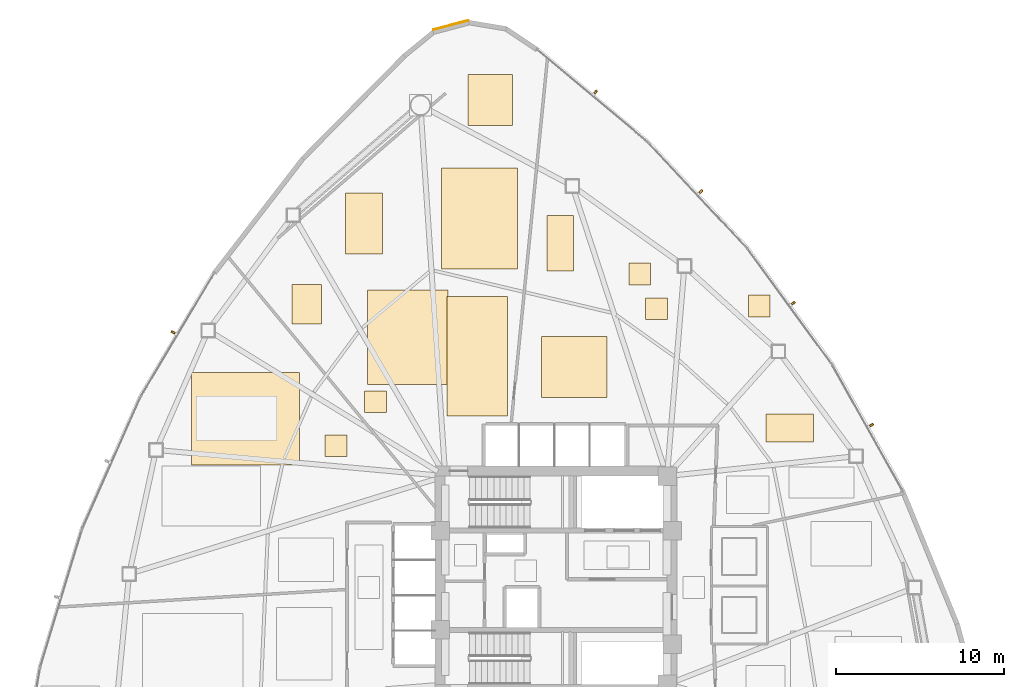
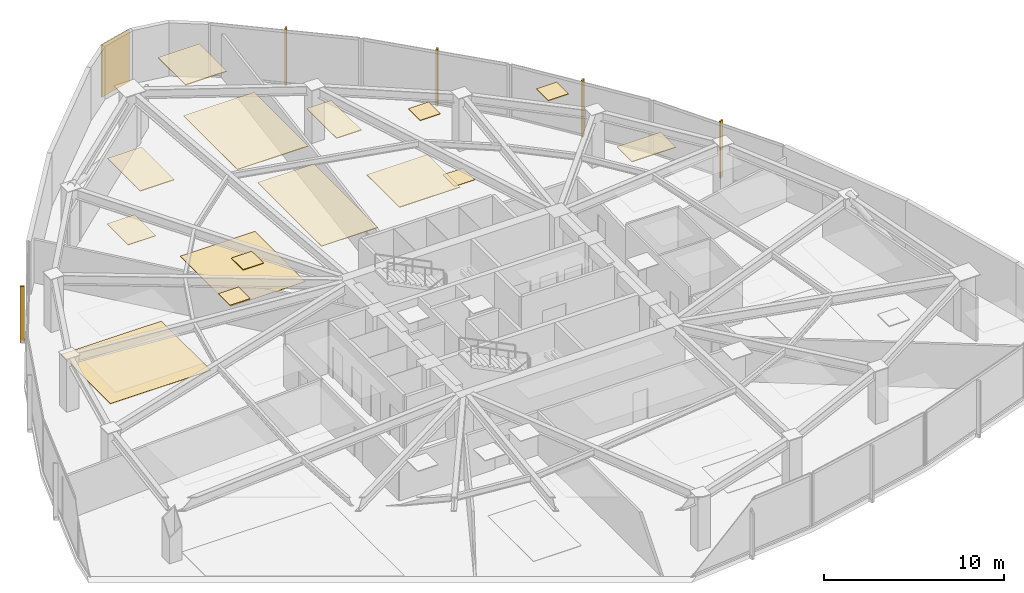
# One storey, part 16 of 16: 16 coverings, 5 shading devices.
"""IFC4 building model written with IfcOpenShell, lengths in metres."""

from ifc_helpers import new_model, si_unit, direction, frame, origin, origin_2d, place, context, subcontext, project, spatial, polyline, rectangle, outline, extrude, source, transform, mapped, material, layer, layer_set, type_object, type_shapes, element, save


model = new_model("IFC4")

# Units and contexts
model_context = context("Model", 3, precision=1e-05, world=origin(), true_north=direction((0.0, 1.0)))
body_context = subcontext(model_context, "Body", "Model", "MODEL_VIEW")
ifc_project = project(units=[si_unit("LENGTHUNIT", "METRE"), si_unit("AREAUNIT", "SQUARE_METRE"), si_unit("VOLUMEUNIT", "CUBIC_METRE"), si_unit("PLANEANGLEUNIT", "RADIAN"), si_unit("MASSUNIT", "GRAM", prefix="KILO")], contexts=[model_context])

# Site, building, storey
site_placement = place(None, origin())
site = spatial("IfcSite", under=ifc_project, at=site_placement, CompositionType="ELEMENT")
building_placement = place(site_placement, origin())
building = spatial("IfcBuilding", under=site, at=building_placement, Name="Tavelor Broadcast Tower", CompositionType="ELEMENT")
storey_placement = place(building_placement, frame((0.0, 0.0, 35.39990234375)))
storey = spatial("IfcBuildingStorey", under=building, at=storey_placement, Name="L07", CompositionType="ELEMENT", Elevation=35.39990234375)

# Coverings
ifc_material_1 = material(Name="Copper-Bronze Anodized Aluminium", Category="aluminium")
ifc_layer_1 = layer(ifc_material_1, 0.050048828125)
ifc_layer_set_1 = layer_set([ifc_layer_1], Name="Copper-Bronze Anodized Aluminium")
covering_type_1 = type_object("IfcCoveringType", Name="Champagne-Bronze Corner Pier Metal Cladding 50 mm", PredefinedType="CLADDING", material=ifc_layer_set_1)
covering_1_placement = place(storey_placement, frame((43.73388671875, 78.041748046875, 0.02001953125), z_axis=(0.0, 0.0, 1.0), x_axis=(-0.966600102017, -0.256289373133, 0.0)))
element("IfcCovering", 1, at=covering_1_placement, inside=storey, type_object=covering_type_1, Name="L07 Champagne-Bronze Corner Cladding 03", PredefinedType="CLADDING", context=body_context, shape_type="SweptSolid", body=[
    extrude(rectangle(XDim=2.1640625, YDim=0.050048828125, at=origin_2d()), origin(), (0.0, 0.0, 1.0), 3.56005859375),
])
ifc_material_2 = material(Name="Acoustic Nylon Carpet Tile")
ifc_layer_2 = layer(ifc_material_2, 0.02001953125)
ifc_layer_set_2 = layer_set([ifc_layer_2], Name="Acoustic Nylon Carpet Tile")
covering_type_2 = type_object("IfcCoveringType", Name="Heavy-Duty Acoustic Broadcast Carpet Tile 20 mm", PredefinedType="FLOORING", material=ifc_layer_set_2)
covering_2_placement = place(storey_placement, origin())
element("IfcCovering", 2, at=covering_2_placement, inside=storey, type_object=covering_type_2, Name="L07 Broadcast Floor Finish 0080", PredefinedType="FLOORING", context=body_context, shape_type="SweptSolid", body=[
    extrude(outline(polyline([(28.298583984375, 51.860107421875), (34.739990234375, 51.860107421875), (34.739990234375, 57.358642578125), (28.298583984375, 57.358642578125), (28.298583984375, 51.860107421875)])), origin(), (0.0, 0.0, 1.0), 0.02001953125),
])
covering_3_placement = place(storey_placement, origin())
element("IfcCovering", 3, at=covering_3_placement, inside=storey, type_object=covering_type_2, Name="L07 Broadcast Floor Finish 0081", PredefinedType="FLOORING", context=body_context, shape_type="SweptSolid", body=[
    extrude(outline(polyline([(38.78466796875, 56.665283203125), (43.57177734375, 56.665283203125), (43.57177734375, 62.2783203125), (38.78466796875, 62.2783203125), (38.78466796875, 56.665283203125)])), origin(), (0.0, 0.0, 1.0), 0.02001953125),
])
covering_4_placement = place(storey_placement, origin())
element("IfcCovering", 4, at=covering_4_placement, inside=storey, type_object=covering_type_2, Name="L07 Broadcast Floor Finish 0082", PredefinedType="FLOORING", context=body_context, shape_type="SweptSolid", body=[
    extrude(outline(polyline([(55.3330078125, 60.5107421875), (56.6328125, 60.5107421875), (56.6328125, 61.810791015625), (55.3330078125, 61.810791015625), (55.3330078125, 60.5107421875)])), origin(), (0.0, 0.0, 1.0), 0.02001953125),
])
ifc_material_3 = material(Name="Acoustic Mineral Fibre Tile")
ifc_layer_3 = layer(ifc_material_3, 0.0400390625)
ifc_layer_set_3 = layer_set([ifc_layer_3], Name="Acoustic Mineral Fibre Tile")
covering_type_3 = type_object("IfcCoveringType", Name="Suspended Acoustic Mineral-Fibre Office Ceiling 40 mm", PredefinedType="CEILING", material=ifc_layer_set_3)
covering_5_placement = place(storey_placement, frame((0.0, 0.0, 3.56005859375)))
element("IfcCovering", 5, at=covering_5_placement, inside=storey, type_object=covering_type_3, Name="L07 Suspended Acoustic Ceiling 0229", PredefinedType="CEILING", context=body_context, shape_type="SweptSolid", body=[
    extrude(outline(polyline([(36.241943359375, 52.354736328125), (37.5419921875, 52.354736328125), (37.5419921875, 53.65478515625), (36.241943359375, 53.65478515625), (36.241943359375, 52.354736328125)])), origin(), (0.0, 0.0, 1.0), 0.0400390625),
])
covering_6_placement = place(storey_placement, frame((0.0, 0.0, 3.56005859375)))
element("IfcCovering", 6, at=covering_6_placement, inside=storey, type_object=covering_type_3, Name="L07 Suspended Acoustic Ceiling 0233", PredefinedType="CEILING", context=body_context, shape_type="SweptSolid", body=[
    extrude(outline(polyline([(37.46337890625, 64.42236328125), (39.65283203125, 64.42236328125), (39.65283203125, 68.059814453125), (37.46337890625, 68.059814453125), (37.46337890625, 64.42236328125)])), origin(), (0.0, 0.0, 1.0), 0.0400390625),
])
covering_7_placement = place(storey_placement, frame((0.0, 0.0, 3.56005859375)))
element("IfcCovering", 7, at=covering_7_placement, inside=storey, type_object=covering_type_3, Name="L07 Suspended Acoustic Ceiling 0234", PredefinedType="CEILING", context=body_context, shape_type="SweptSolid", body=[
    extrude(outline(polyline([(43.173095703125, 63.525390625), (47.7109375, 63.525390625), (47.7109375, 69.530029296875), (43.173095703125, 69.530029296875), (43.173095703125, 63.525390625)])), origin(), (0.0, 0.0, 1.0), 0.0400390625),
])
covering_8_placement = place(storey_placement, frame((0.0, 0.0, 3.56005859375)))
element("IfcCovering", 8, at=covering_8_placement, inside=storey, type_object=covering_type_3, Name="L07 Suspended Acoustic Ceiling 0235", PredefinedType="CEILING", context=body_context, shape_type="SweptSolid", body=[
    extrude(outline(polyline([(44.76513671875, 72.052001953125), (47.41259765625, 72.052001953125), (47.41259765625, 75.111083984375), (44.76513671875, 75.111083984375), (44.76513671875, 72.052001953125)])), origin(), (0.0, 0.0, 1.0), 0.0400390625),
])
covering_9_placement = place(storey_placement, frame((0.0, 0.0, 3.56005859375)))
element("IfcCovering", 9, at=covering_9_placement, inside=storey, type_object=covering_type_3, Name="L07 Suspended Acoustic Ceiling 0236", PredefinedType="CEILING", context=body_context, shape_type="SweptSolid", body=[
    extrude(outline(polyline([(43.505126953125, 54.7744140625), (47.11328125, 54.7744140625), (47.11328125, 61.8740234375), (43.505126953125, 61.8740234375), (43.505126953125, 54.7744140625)])), origin(), (0.0, 0.0, 1.0), 0.0400390625),
])
covering_10_placement = place(storey_placement, frame((0.0, 0.0, 3.56005859375)))
element("IfcCovering", 10, at=covering_10_placement, inside=storey, type_object=covering_type_3, Name="L07 Suspended Acoustic Ceiling 0237", PredefinedType="CEILING", context=body_context, shape_type="SweptSolid", body=[
    extrude(outline(polyline([(38.599609375, 54.973388671875), (39.8994140625, 54.973388671875), (39.8994140625, 56.273193359375), (38.599609375, 56.273193359375), (38.599609375, 54.973388671875)])), origin(), (0.0, 0.0, 1.0), 0.0400390625),
])
covering_11_placement = place(storey_placement, frame((0.0, 0.0, 3.56005859375)))
element("IfcCovering", 11, at=covering_11_placement, inside=storey, type_object=covering_type_3, Name="L07 Suspended Acoustic Ceiling 0238", PredefinedType="CEILING", context=body_context, shape_type="SweptSolid", body=[
    extrude(outline(polyline([(34.281982421875, 60.243408203125), (36.048583984375, 60.243408203125), (36.048583984375, 62.591064453125), (34.281982421875, 62.591064453125), (34.281982421875, 60.243408203125)])), origin(), (0.0, 0.0, 1.0), 0.0400390625),
])
covering_12_placement = place(storey_placement, frame((0.0, 0.0, 3.56005859375)))
element("IfcCovering", 12, at=covering_12_placement, inside=storey, type_object=covering_type_3, Name="L07 Suspended Acoustic Ceiling 0239", PredefinedType="CEILING", context=body_context, shape_type="SweptSolid", body=[
    extrude(outline(polyline([(49.125732421875, 55.872314453125), (53.033447265625, 55.872314453125), (53.033447265625, 59.500732421875), (49.125732421875, 59.500732421875), (49.125732421875, 55.872314453125)])), origin(), (0.0, 0.0, 1.0), 0.0400390625),
])
covering_13_placement = place(storey_placement, frame((0.0, 0.0, 3.56005859375)))
element("IfcCovering", 13, at=covering_13_placement, inside=storey, type_object=covering_type_3, Name="L07 Suspended Acoustic Ceiling 0240", PredefinedType="CEILING", context=body_context, shape_type="SweptSolid", body=[
    extrude(outline(polyline([(49.44775390625, 63.399658203125), (51.03662109375, 63.399658203125), (51.03662109375, 66.71484375), (49.44775390625, 66.71484375), (49.44775390625, 63.399658203125)])), origin(), (0.0, 0.0, 1.0), 0.0400390625),
])
covering_14_placement = place(storey_placement, frame((0.0, 0.0, 3.56005859375)))
element("IfcCovering", 14, at=covering_14_placement, inside=storey, type_object=covering_type_3, Name="L07 Suspended Acoustic Ceiling 0241", PredefinedType="CEILING", context=body_context, shape_type="SweptSolid", body=[
    extrude(outline(polyline([(61.436279296875, 60.680419921875), (62.736328125, 60.680419921875), (62.736328125, 61.98046875), (61.436279296875, 61.98046875), (61.436279296875, 60.680419921875)])), origin(), (0.0, 0.0, 1.0), 0.0400390625),
])
covering_15_placement = place(storey_placement, frame((0.0, 0.0, 3.56005859375)))
element("IfcCovering", 15, at=covering_15_placement, inside=storey, type_object=covering_type_3, Name="L07 Suspended Acoustic Ceiling 0244", PredefinedType="CEILING", context=body_context, shape_type="SweptSolid", body=[
    extrude(outline(polyline([(62.492431640625, 53.234375), (65.3046875, 53.234375), (65.3046875, 54.909423828125), (62.492431640625, 54.909423828125), (62.492431640625, 53.234375)])), origin(), (0.0, 0.0, 1.0), 0.0400390625),
])
covering_16_placement = place(storey_placement, frame((0.0, 0.0, 3.56005859375)))
element("IfcCovering", 16, at=covering_16_placement, inside=storey, type_object=covering_type_3, Name="L07 Suspended Acoustic Ceiling 0245", PredefinedType="CEILING", context=body_context, shape_type="SweptSolid", body=[
    extrude(outline(polyline([(54.32470703125, 62.56884765625), (55.62451171875, 62.56884765625), (55.62451171875, 63.868896484375), (54.32470703125, 63.868896484375), (54.32470703125, 62.56884765625)])), origin(), (0.0, 0.0, 1.0), 0.0400390625),
])

# Shading devices
ifc_material_4 = material(Name="Kiln-Fired Glazed Terracotta", Category="masonry")
shading_device_type = type_object("IfcShadingDeviceType", Name="Extruded Terracotta Baguette Sun-Screen 110x240", PredefinedType="JALOUSIE", material=ifc_material_4)
shared_shape = source(origin(), body_context, "Body", "SweptSolid", [
    extrude(rectangle(XDim=0.110107421875, YDim=0.239990234375, at=origin_2d()), origin(), (0.0, 0.0, 1.0), 3.840087890625),
])
type_shapes(shading_device_type, [shared_shape])
for number, where, z_axis, x_axis, name in (
    (17, (27.20849609375, 59.756591796875, -0.259765625), (0.0, 0.0, 1.0), (-0.511743000114, -0.859138581274, 0.0), "L07 Terracotta Baguette Fin 37"),
    (18, (68.775390625, 54.241943359375, -0.259765625), (0.0, 0.0, 1.0), (-0.488164336698, 0.872751728945, 0.0), "L07 Terracotta Baguette Fin 45"),
    (19, (64.11767578125, 61.497314453125, -0.259765625), (0.0, 0.0, 1.0), (-0.590323949356, 0.807166423246, 0.0), "L07 Terracotta Baguette Fin 46"),
    (20, (58.615966796875, 68.135498046875, -0.259765625), (0.0, 0.0, 1.0), (-0.683655992076, 0.729804415237, 0.0), "L07 Terracotta Baguette Fin 47"),
    (21, (52.3515625, 74.059326171875, -0.259765625), (0.0, 0.0, 1.0), (-0.76694119692, 0.64171738364, 0.0), "L07 Terracotta Baguette Fin 48"),
):
    element("IfcShadingDevice", number, at=place(storey_placement, frame(where, z_axis=z_axis, x_axis=x_axis)), inside=storey, type_object=shading_device_type, Name=name, PredefinedType="JALOUSIE", context=body_context, shape_type="MappedRepresentation", body=[
        mapped(shared_shape, transform((0.0, 0.0, 0.0), scale=1.0)),
    ])

save(model, "model.ifc")
